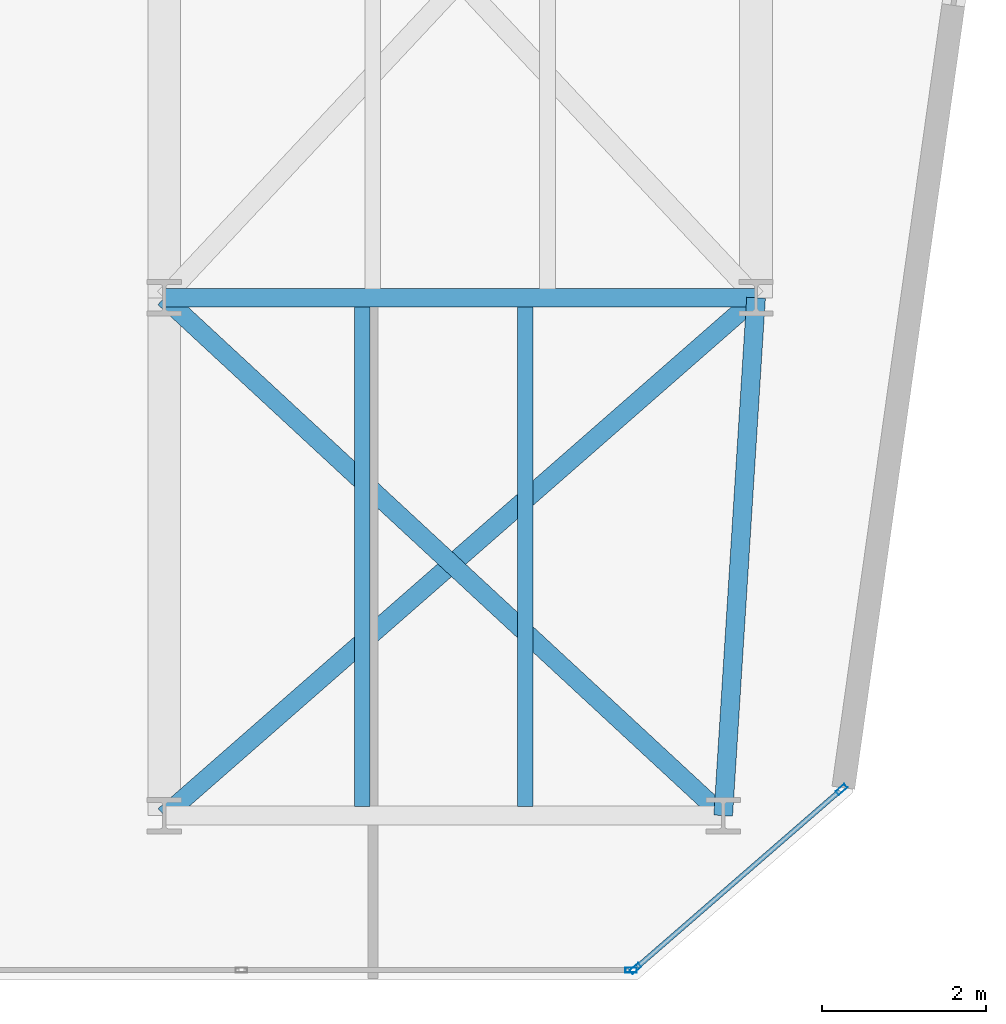
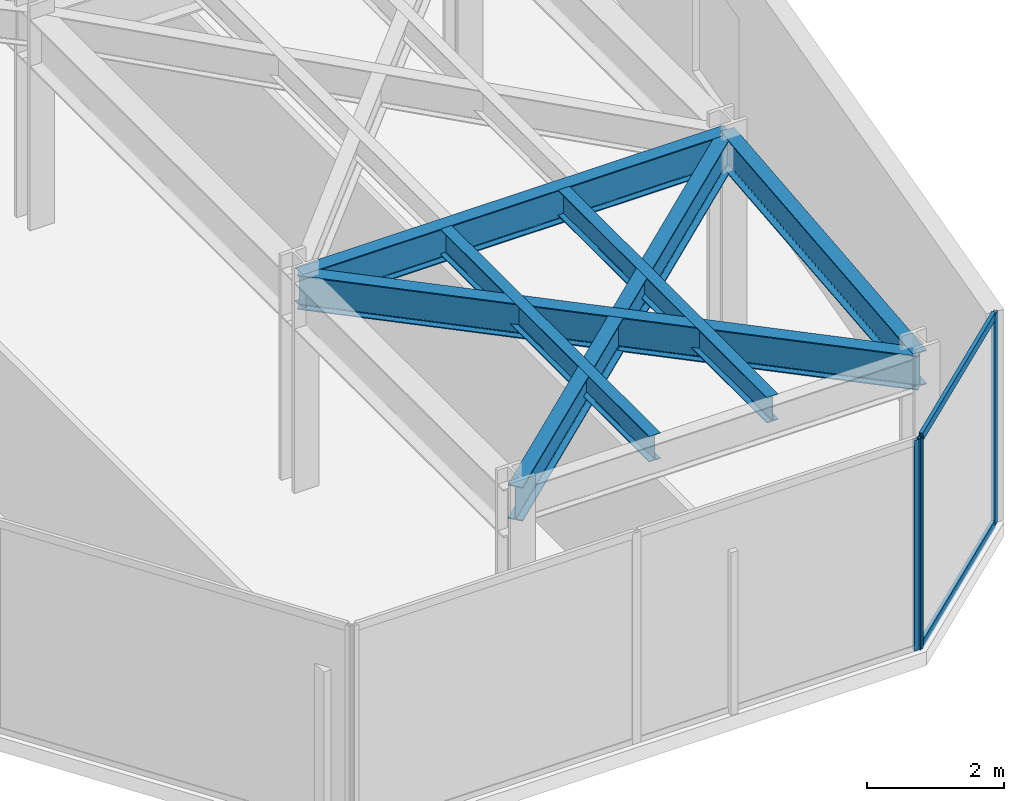
# One storey, part 19 of 26: 6 beams, 5 members, 2 elements without a shape of their own.
"""IFC4 building model written with IfcOpenShell, lengths in metres."""

from ifc_helpers import new_model, si_unit, direction, frame, origin, origin_2d, place, context, subcontext, project, spatial, hollow_rectangle, i_section, extrude, material, layer, layer_set, material_profile, profile_set, type_object, element, aggregate, save


model = new_model("IFC4")

# Units and contexts
model_context = context("Model", 3, precision=1e-05, world=origin(), true_north=direction((0.0, 1.0)))
body_context = subcontext(model_context, "Body", "Model", "MODEL_VIEW")
ifc_project = project(units=[si_unit("LENGTHUNIT", "METRE"), si_unit("AREAUNIT", "SQUARE_METRE"), si_unit("VOLUMEUNIT", "CUBIC_METRE"), si_unit("PLANEANGLEUNIT", "RADIAN"), si_unit("MASSUNIT", "GRAM", prefix="KILO")], contexts=[model_context])

# Site, building, storey
site_placement = place(None, origin())
site = spatial("IfcSite", under=ifc_project, at=site_placement, CompositionType="ELEMENT")
building_placement = place(site_placement, origin())
building = spatial("IfcBuilding", under=site, at=building_placement, Name="Kravanh Interchange Tower", CompositionType="ELEMENT")
storey_placement = place(building_placement, frame((0.0, 0.0, 136.0)))
storey = spatial("IfcBuildingStorey", under=building, at=storey_placement, Name="L32", CompositionType="ELEMENT", Elevation=136.0)

# Curtain wall, members
ifc_material_1 = material(Name="Anodised Bronze Aluminium", Category="aluminium")
ifc_layer = layer(ifc_material_1, 0.179931640625)
ifc_layer_set = layer_set([ifc_layer], Name="Unitised Curtain Wall System CW-Z2 Mid Office")
curtain_wall_type = type_object("IfcCurtainWallType", Name="Unitised Curtain Wall System CW-Z2 Mid Office", PredefinedType="NOTDEFINED", material=ifc_layer_set)
curtain_wall_1_placement = place(storey_placement, origin())
curtain_wall_1 = element("IfcCurtainWall", 1, at=curtain_wall_1_placement, inside=storey, type_object=curtain_wall_type, Name="L32 Unitised Curtain Wall CW-L32-02", PredefinedType="NOTDEFINED")
ifc_material_2 = material(Name="Anodised Bronze Aluminium", Category="aluminium")
ifc_material_profile_1 = material_profile(ifc_material_2, hollow_rectangle(XDim=0.06005859375, YDim=0.139892578125, WallThickness=0.00390625, at=origin_2d()), Name="ALU60X140X4")
ifc_profile_set_1 = profile_set([ifc_material_profile_1], Name="Anodised Bronze Aluminium")
member_type_1 = type_object("IfcMemberType", Name="Curtain Wall Mullion ALU60X140X4 Bronze", PredefinedType="MULLION", material=ifc_profile_set_1)
member_1_placement = place(storey_placement, frame((64.239990234375, 8.51904296875, 0.0), z_axis=(0.0, 0.0, 1.0), x_axis=(0.656047665617, -0.754719458103, 0.0)))
member_1 = element("IfcMember", 2, at=member_1_placement, type_object=member_type_1, Name="CW-Z2 mullion 1", PredefinedType="MULLION", context=body_context, shape_type="SweptSolid", body=[
    extrude(hollow_rectangle(XDim=0.06005859375, YDim=0.139892578125, WallThickness=0.00390625, at=origin_2d()), origin(), (0.0, 0.0, 1.0), 3.75),
])
member_2_placement = place(storey_placement, frame((61.73291015625, 6.339599609375, 0.0), z_axis=(0.0, 0.0, 1.0), x_axis=(0.656047665617, -0.754719458103, 0.0)))
member_2 = element("IfcMember", 3, at=member_2_placement, type_object=member_type_1, Name="CW-Z2 mullion 2", PredefinedType="MULLION", context=body_context, shape_type="SweptSolid", body=[
    extrude(hollow_rectangle(XDim=0.06005859375, YDim=0.139892578125, WallThickness=0.00390625, at=origin_2d()), origin(), (0.0, 0.0, 1.0), 3.75),
])

# Curtain wall, member
curtain_wall_2_placement = place(storey_placement, origin())
curtain_wall_2 = element("IfcCurtainWall", 4, at=curtain_wall_2_placement, inside=storey, type_object=curtain_wall_type, Name="L32 Unitised Curtain Wall CW-L32-03", PredefinedType="NOTDEFINED")
member_3_placement = place(storey_placement, frame((61.68017578125, 6.320068359375, 0.0), z_axis=(0.0, 0.0, 1.0), x_axis=(0.0, -1.0, 0.0)))
member_3 = element("IfcMember", 5, at=member_3_placement, type_object=member_type_1, Name="CW-Z2 mullion 1", PredefinedType="MULLION", context=body_context, shape_type="SweptSolid", body=[
    extrude(hollow_rectangle(XDim=0.06005859375, YDim=0.139892578125, WallThickness=0.00390625, at=origin_2d()), origin(), (0.0, 0.0, 1.0), 3.75),
])
aggregate(curtain_wall_2, [member_3])

# Member
ifc_material_3 = material(Name="Anodised Bronze Aluminium", Category="aluminium")
ifc_material_profile_2 = material_profile(ifc_material_3, hollow_rectangle(XDim=0.06005859375, YDim=0.139892578125, WallThickness=0.00390625, at=origin_2d()), Name="ALU60X140X4")
ifc_profile_set_2 = profile_set([ifc_material_profile_2], Name="Anodised Bronze Aluminium")
member_type_2 = type_object("IfcMemberType", Name="Curtain Wall Transom ALU60X140X4 Bronze", PredefinedType="USERDEFINED", material=ifc_profile_set_2)
member_4_placement = place(storey_placement, frame((64.21728515625, 8.499267578125, 0.030029296875), z_axis=(-0.754742467432, -0.656021194669, 0.0), x_axis=(0.656021194669, -0.754742467432, 0.0)))
member_4 = element("IfcMember", 6, at=member_4_placement, type_object=member_type_2, Name="CW-Z2 transom 1.1", ObjectType="TRANSOM", PredefinedType="USERDEFINED", context=body_context, shape_type="SweptSolid", body=[
    extrude(hollow_rectangle(XDim=0.06005859375, YDim=0.139892578125, WallThickness=0.00390625, at=origin_2d()), origin(), (0.0, 0.0, 1.0), 3.261962890625),
])

member_5_placement = place(storey_placement, frame((64.21728515625, 8.499267578125, 3.719970703125), z_axis=(-0.754742467432, -0.656021194669, 0.0), x_axis=(0.656021194669, -0.754742467432, 0.0)))
member_5 = element("IfcMember", 7, at=member_5_placement, type_object=member_type_2, Name="CW-Z2 transom 1.2", ObjectType="TRANSOM", PredefinedType="USERDEFINED", context=body_context, shape_type="SweptSolid", body=[
    extrude(hollow_rectangle(XDim=0.06005859375, YDim=0.139892578125, WallThickness=0.00390625, at=origin_2d()), origin(), (0.0, 0.0, 1.0), 3.261962890625),
])

aggregate(curtain_wall_1, [member_1, member_2, member_4, member_5])

# Beams
ifc_material_4 = material(Name="Structural Steel S355", Category="steel")
ifc_material_profile_3 = material_profile(ifc_material_4, i_section(OverallWidth=0.18994140625, OverallDepth=0.45703125, WebThickness=0.009033203125, FlangeThickness=0.014404296875, FilletRadius=0.01806640625, at=origin_2d()), Name="W18X50")
ifc_profile_set_3 = profile_set([ifc_material_profile_3], Name="Structural Steel S355")
beam_type_1 = type_object("IfcBeamType", Name="Floor Joist W18X50 Structural Steel S355", PredefinedType="JOIST", material=ifc_profile_set_3)
for number, where, z_axis, x_axis, name in (
    (8, (58.409912109375, 8.30908203125, 3.521484375), (0.0, 1.0, 0.0), (-1.0, 0.0, 0.0), "L32 Secondary Floor Joist 3"),
    (9, (60.389892578125, 8.30908203125, 3.521484375), (0.0, 1.0, 0.0), (-1.0, 0.0, 0.0), "L32 Secondary Floor Joist 4"),
):
    element("IfcBeam", number, at=place(storey_placement, frame(where, z_axis=z_axis, x_axis=x_axis)), inside=storey, type_object=beam_type_1, Name=name, PredefinedType="JOIST", context=body_context, shape_type="SweptSolid", body=[
        extrude(i_section(OverallWidth=0.18994140625, OverallDepth=0.45703125, WebThickness=0.009033203125, FlangeThickness=0.014404296875, FilletRadius=0.01806640625, at=origin_2d()), origin(), (0.0, 0.0, 1.0), 6.08203125),
    ])
ifc_material_5 = material(Name="Structural Steel S355", Category="steel")
ifc_material_profile_4 = material_profile(ifc_material_5, i_section(OverallWidth=0.22802734375, OverallDepth=0.60791015625, WebThickness=0.01123046875, FlangeThickness=0.017333984375, FilletRadius=0.02197265625, at=origin_2d()), Name="W24X76")
ifc_profile_set_4 = profile_set([ifc_material_profile_4], Name="Structural Steel S355")
beam_type_2 = type_object("IfcBeamType", Name="Floor Spandrel W24X76 Structural Steel S355", PredefinedType="SPANDREL", material=ifc_profile_set_4)
beam_1_placement = place(storey_placement, frame((56.0, 8.199951171875, 3.446044921875), z_axis=(0.752571952274, 0.658510027752, 0.0), x_axis=(-0.658510027752, 0.752571952274, 0.0)))
element("IfcBeam", 10, at=beam_1_placement, inside=storey, type_object=beam_type_2, Name="L32 Perimeter Spandrel 97", PredefinedType="SPANDREL", context=body_context, shape_type="SweptSolid", body=[
    extrude(i_section(OverallWidth=0.22802734375, OverallDepth=0.60791015625, WebThickness=0.01123046875, FlangeThickness=0.017333984375, FilletRadius=0.02197265625, at=origin_2d()), origin(), (0.0, 0.0, 1.0), 9.567138671875),
])
beam_2_placement = place(storey_placement, frame((62.800048828125, 8.199951171875, 3.446044921875), z_axis=(0.063348576418, 0.99799146182, 0.0), x_axis=(-0.99799146182, 0.063348576418, 0.0)))
element("IfcBeam", 11, at=beam_2_placement, inside=storey, type_object=beam_type_2, Name="L32 Perimeter Spandrel 98", PredefinedType="SPANDREL", context=body_context, shape_type="SweptSolid", body=[
    extrude(i_section(OverallWidth=0.22802734375, OverallDepth=0.60791015625, WebThickness=0.01123046875, FlangeThickness=0.017333984375, FilletRadius=0.02197265625, at=origin_2d()), origin(), (0.0, 0.0, 1.0), 6.312744140625),
])
beam_3_placement = place(storey_placement, frame((62.800048828125, 8.199951171875, 3.446044921875), z_axis=(-0.733561267923, 0.679623326706, 0.0), x_axis=(-0.679623326706, -0.733561267923, 0.0)))
element("IfcBeam", 12, at=beam_3_placement, inside=storey, type_object=beam_type_2, Name="L32 Perimeter Spandrel 99", PredefinedType="SPANDREL", context=body_context, shape_type="SweptSolid", body=[
    extrude(i_section(OverallWidth=0.22802734375, OverallDepth=0.60791015625, WebThickness=0.01123046875, FlangeThickness=0.017333984375, FilletRadius=0.02197265625, at=origin_2d()), origin(), (0.0, 0.0, 1.0), 9.27001953125),
])
beam_4_placement = place(storey_placement, frame((56.0, 14.5, 3.446044921875), z_axis=(1.0, 0.0, 0.0), x_axis=(0.0, 1.0, 0.0)))
element("IfcBeam", 13, at=beam_4_placement, inside=storey, type_object=beam_type_2, Name="L32 Perimeter Spandrel 103", PredefinedType="SPANDREL", context=body_context, shape_type="SweptSolid", body=[
    extrude(i_section(OverallWidth=0.22802734375, OverallDepth=0.60791015625, WebThickness=0.01123046875, FlangeThickness=0.017333984375, FilletRadius=0.02197265625, at=origin_2d()), origin(), (0.0, 0.0, 1.0), 7.199951171875),
])

save(model, "model.ifc")
